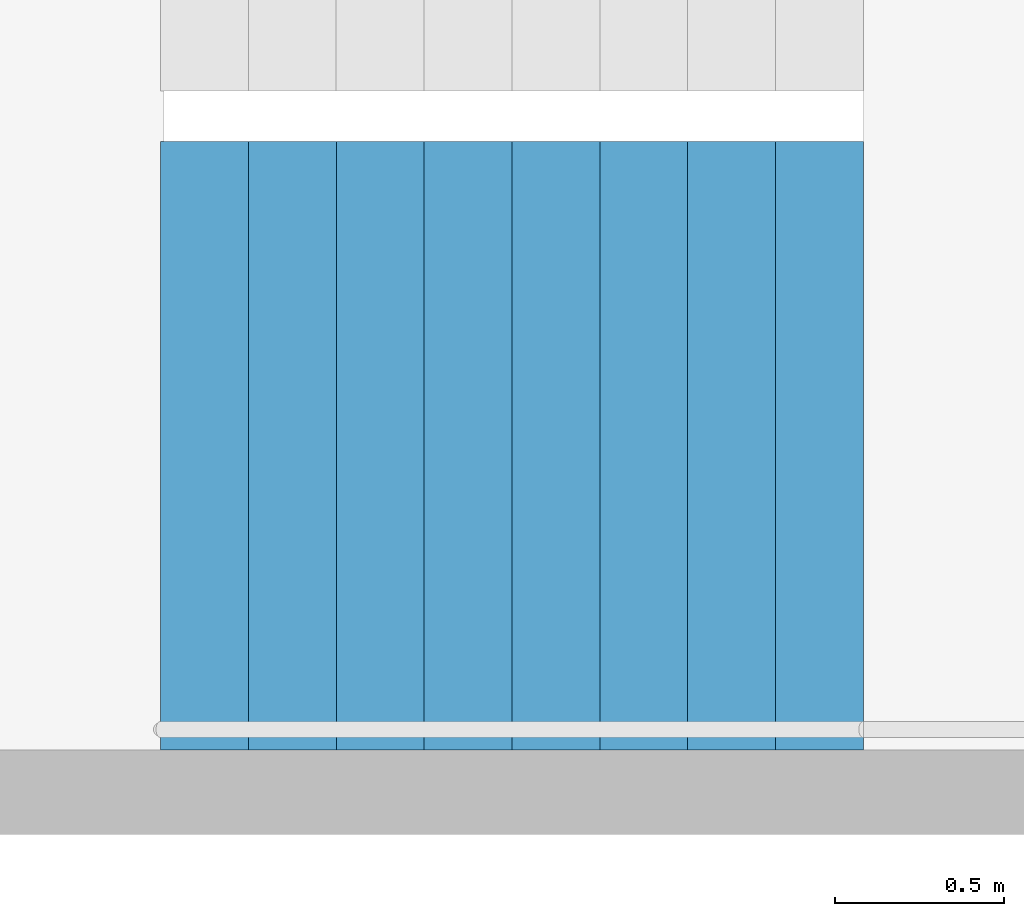
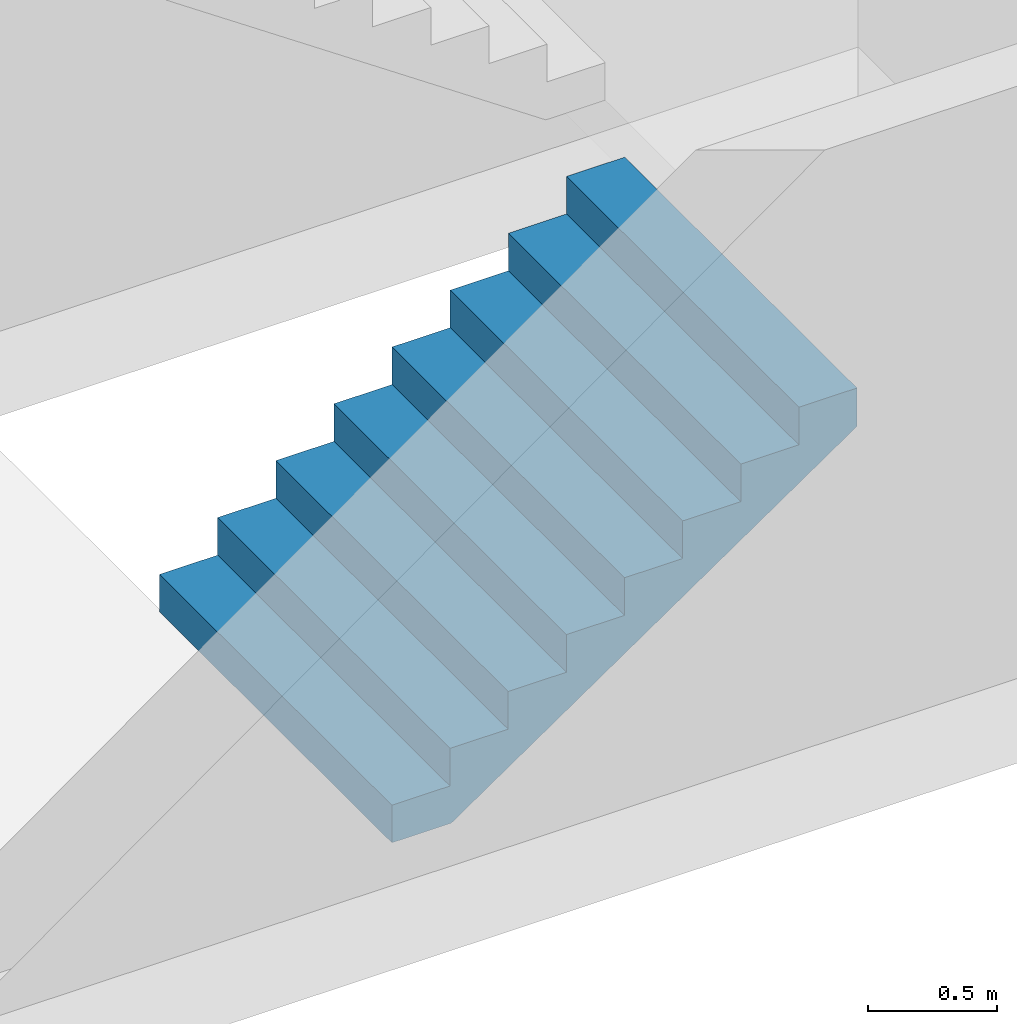
# One storey, part 22 of 28: 1 stair flight, 1 element without a shape of its own.
"""IFC4 building model written with IfcOpenShell, lengths in metres."""

from ifc_helpers import new_model, si_unit, direction, frame, origin, place, context, subcontext, project, spatial, triangles, material, type_object, element, aggregate, save


model = new_model("IFC4")

# Units and contexts
model_context = context("Model", 3, precision=1e-05, world=origin(), true_north=direction((0.0, 1.0)))
body_context = subcontext(model_context, "Body", "Model", "MODEL_VIEW")
ifc_project = project(units=[si_unit("LENGTHUNIT", "METRE"), si_unit("AREAUNIT", "SQUARE_METRE"), si_unit("VOLUMEUNIT", "CUBIC_METRE"), si_unit("PLANEANGLEUNIT", "RADIAN"), si_unit("MASSUNIT", "GRAM", prefix="KILO")], contexts=[model_context])

# Site, building, storey
site_placement = place(None, origin())
site = spatial("IfcSite", under=ifc_project, at=site_placement, CompositionType="ELEMENT")
building_placement = place(site_placement, origin())
building = spatial("IfcBuilding", under=site, at=building_placement, Name="Hakoniwa Tower and Hamabe Station Hall", CompositionType="ELEMENT")
storey_placement = place(building_placement, frame((0.0, 0.0, 58.199951171875)))
storey = spatial("IfcBuildingStorey", under=building, at=storey_placement, Name="L16", CompositionType="ELEMENT", Elevation=58.199951171875)

# Stair, stair flight
ifc_material_1 = material(Name="Concrete C40", Category="concrete")
stair_type = type_object("IfcStairType", Name="ESCAPE STAIR 1800", PredefinedType="HALF_TURN_STAIR", material=ifc_material_1)
stair_placement = place(storey_placement, origin())
stair = element("IfcStair", 1, at=stair_placement, inside=storey, type_object=stair_type, Name="Escape stair ST-1 L16", PredefinedType="HALF_TURN_STAIR")
ifc_material_2 = material(Name="Concrete C40", Category="concrete")
stair_flight_type = type_object("IfcStairFlightType", Name="STAIR FLIGHT 1800", PredefinedType="STRAIGHT", material=ifc_material_2)
stair_flight_placement = place(storey_placement, frame((-24.39990234375, 4.64990234375, 0.0), z_axis=(0.0, 0.0, 1.0), x_axis=(1.0, 0.0, 0.0)))
stair_flight = element("IfcStairFlight", 2, at=stair_flight_placement, type_object=stair_flight_type, Name="ST-1 flight 1", NumberOfRisers=9, NumberOfTreads=8, PredefinedType="STRAIGHT", RiserHeight=0.177777778, TreadLength=0.26, context=body_context, shape_type="Tessellation", body=[
    triangles([(0.0, 0.89990234375, 0.0), (0.260009765625, 0.89990234375, 0.0), (0.265625, 0.89990234375, 0.0), (0.52001953125, 0.89990234375, 0.174072265625), (0.780029296875, 0.89990234375, 0.351806640625), (1.0400390625, 0.89990234375, 0.529541015625), (1.300048828125, 0.89990234375, 0.707275390625), (1.56005859375, 0.89990234375, 0.885009765625), (1.820068359375, 0.89990234375, 1.062744140625), (2.080078125, 0.89990234375, 1.24072265625), (2.080078125, 0.89990234375, 1.422119140625), (1.820068359375, 0.89990234375, 1.422119140625), (1.820068359375, 0.89990234375, 1.244384765625), (1.56005859375, 0.89990234375, 1.244384765625), (1.56005859375, 0.89990234375, 1.066650390625), (1.300048828125, 0.89990234375, 1.066650390625), (1.300048828125, 0.89990234375, 0.888916015625), (1.0400390625, 0.89990234375, 0.888916015625), (1.0400390625, 0.89990234375, 0.711181640625), (0.780029296875, 0.89990234375, 0.711181640625), (0.780029296875, 0.89990234375, 0.533447265625), (0.52001953125, 0.89990234375, 0.533447265625), (0.52001953125, 0.89990234375, 0.35546875), (0.265625, 0.89990234375, 0.35546875), (0.260009765625, 0.89990234375, 0.35546875), (0.260009765625, 0.89990234375, 0.177734375), (0.0, 0.89990234375, 0.177734375), (0.0, 0.06005859375, 0.0), (0.260009765625, 0.06005859375, 0.0), (0.265625, 0.06005859375, 0.0), (0.52001953125, 0.06005859375, 0.174072265625), (0.780029296875, 0.06005859375, 0.351806640625), (1.0400390625, 0.06005859375, 0.529541015625), (1.300048828125, 0.06005859375, 0.707275390625), (1.56005859375, 0.06005859375, 0.885009765625), (1.820068359375, 0.06005859375, 1.062744140625), (2.080078125, 0.06005859375, 1.24072265625), (2.080078125, 0.06005859375, 1.422119140625), (1.820068359375, 0.06005859375, 1.422119140625), (1.820068359375, 0.06005859375, 1.244384765625), (1.56005859375, 0.06005859375, 1.244384765625), (1.56005859375, 0.06005859375, 1.066650390625), (1.300048828125, 0.06005859375, 1.066650390625), (1.300048828125, 0.06005859375, 0.888916015625), (1.0400390625, 0.06005859375, 0.888916015625), (1.0400390625, 0.06005859375, 0.711181640625), (0.780029296875, 0.06005859375, 0.711181640625), (0.780029296875, 0.06005859375, 0.533447265625), (0.52001953125, 0.06005859375, 0.533447265625), (0.52001953125, 0.06005859375, 0.35546875), (0.265625, 0.06005859375, 0.35546875), (0.260009765625, 0.06005859375, 0.35546875), (0.260009765625, 0.06005859375, 0.177734375), (0.0, 0.06005859375, 0.177734375), (0.0, 0.04296875, 0.0), (0.260009765625, 0.04296875, 0.0), (0.265625, 0.04296875, 0.0), (0.52001953125, 0.04296875, 0.174072265625), (0.780029296875, 0.04296875, 0.351806640625), (1.0400390625, 0.04296875, 0.529541015625), (1.300048828125, 0.04296875, 0.707275390625), (1.56005859375, 0.04296875, 0.885009765625), (1.820068359375, 0.04296875, 1.062744140625), (2.080078125, 0.04296875, 1.24072265625), (2.080078125, 0.04296875, 1.422119140625), (1.820068359375, 0.04296875, 1.422119140625), (1.820068359375, 0.04296875, 1.244384765625), (1.56005859375, 0.04296875, 1.244384765625), (1.56005859375, 0.04296875, 1.066650390625), (1.300048828125, 0.04296875, 1.066650390625), (1.300048828125, 0.04296875, 0.888916015625), (1.0400390625, 0.04296875, 0.888916015625), (1.0400390625, 0.04296875, 0.711181640625), (0.780029296875, 0.04296875, 0.711181640625), (0.780029296875, 0.04296875, 0.533447265625), (0.52001953125, 0.04296875, 0.533447265625), (0.52001953125, 0.04296875, 0.35546875), (0.265625, 0.04296875, 0.35546875), (0.260009765625, 0.04296875, 0.35546875), (0.260009765625, 0.04296875, 0.177734375), (0.0, 0.04296875, 0.177734375), (0.0, 0.025634765625, 0.0), (0.260009765625, 0.025634765625, 0.0), (0.265625, 0.025634765625, 0.0), (0.52001953125, 0.025634765625, 0.174072265625), (0.780029296875, 0.025634765625, 0.351806640625), (1.0400390625, 0.025634765625, 0.529541015625), (1.300048828125, 0.025634765625, 0.707275390625), (1.56005859375, 0.025634765625, 0.885009765625), (1.820068359375, 0.025634765625, 1.062744140625), (2.080078125, 0.025634765625, 1.24072265625), (2.080078125, 0.025634765625, 1.422119140625), (1.820068359375, 0.025634765625, 1.422119140625), (1.820068359375, 0.025634765625, 1.244384765625), (1.56005859375, 0.025634765625, 1.244384765625), (1.56005859375, 0.025634765625, 1.066650390625), (1.300048828125, 0.025634765625, 1.066650390625), (1.300048828125, 0.025634765625, 0.888916015625), (1.0400390625, 0.025634765625, 0.888916015625), (1.0400390625, 0.025634765625, 0.711181640625), (0.780029296875, 0.025634765625, 0.711181640625), (0.780029296875, 0.025634765625, 0.533447265625), (0.52001953125, 0.025634765625, 0.533447265625), (0.52001953125, 0.025634765625, 0.35546875), (0.265625, 0.025634765625, 0.35546875), (0.260009765625, 0.025634765625, 0.35546875), (0.260009765625, 0.025634765625, 0.177734375), (0.0, 0.025634765625, 0.177734375), (0.0, 0.008544921875, 0.0), (0.260009765625, 0.008544921875, 0.0), (0.265625, 0.008544921875, 0.0), (0.52001953125, 0.008544921875, 0.174072265625), (0.780029296875, 0.008544921875, 0.351806640625), (1.0400390625, 0.008544921875, 0.529541015625), (1.300048828125, 0.008544921875, 0.707275390625), (1.56005859375, 0.008544921875, 0.885009765625), (1.820068359375, 0.008544921875, 1.062744140625), (2.080078125, 0.008544921875, 1.24072265625), (2.080078125, 0.008544921875, 1.422119140625), (1.820068359375, 0.008544921875, 1.422119140625), (1.820068359375, 0.008544921875, 1.244384765625), (1.56005859375, 0.008544921875, 1.244384765625), (1.56005859375, 0.008544921875, 1.066650390625), (1.300048828125, 0.008544921875, 1.066650390625), (1.300048828125, 0.008544921875, 0.888916015625), (1.0400390625, 0.008544921875, 0.888916015625), (1.0400390625, 0.008544921875, 0.711181640625), (0.780029296875, 0.008544921875, 0.711181640625), (0.780029296875, 0.008544921875, 0.533447265625), (0.52001953125, 0.008544921875, 0.533447265625), (0.52001953125, 0.008544921875, 0.35546875), (0.265625, 0.008544921875, 0.35546875), (0.260009765625, 0.008544921875, 0.35546875), (0.260009765625, 0.008544921875, 0.177734375), (0.0, 0.008544921875, 0.177734375), (0.0, -0.008544921875, 0.0), (0.260009765625, -0.008544921875, 0.0), (0.265625, -0.008544921875, 0.0), (0.52001953125, -0.008544921875, 0.174072265625), (0.780029296875, -0.008544921875, 0.351806640625), (1.0400390625, -0.008544921875, 0.529541015625), (1.300048828125, -0.008544921875, 0.707275390625), (1.56005859375, -0.008544921875, 0.885009765625), (1.820068359375, -0.008544921875, 1.062744140625), (2.080078125, -0.008544921875, 1.24072265625), (2.080078125, -0.008544921875, 1.422119140625), (1.820068359375, -0.008544921875, 1.422119140625), (1.820068359375, -0.008544921875, 1.244384765625), (1.56005859375, -0.008544921875, 1.244384765625), (1.56005859375, -0.008544921875, 1.066650390625), (1.300048828125, -0.008544921875, 1.066650390625), (1.300048828125, -0.008544921875, 0.888916015625), (1.0400390625, -0.008544921875, 0.888916015625), (1.0400390625, -0.008544921875, 0.711181640625), (0.780029296875, -0.008544921875, 0.711181640625), (0.780029296875, -0.008544921875, 0.533447265625), (0.52001953125, -0.008544921875, 0.533447265625), (0.52001953125, -0.008544921875, 0.35546875), (0.265625, -0.008544921875, 0.35546875), (0.260009765625, -0.008544921875, 0.35546875), (0.260009765625, -0.008544921875, 0.177734375), (0.0, -0.008544921875, 0.177734375), (0.0, -0.025634765625, 0.0), (0.260009765625, -0.025634765625, 0.0), (0.265625, -0.025634765625, 0.0), (0.52001953125, -0.025634765625, 0.174072265625), (0.780029296875, -0.025634765625, 0.351806640625), (1.0400390625, -0.025634765625, 0.529541015625), (1.300048828125, -0.025634765625, 0.707275390625), (1.56005859375, -0.025634765625, 0.885009765625), (1.820068359375, -0.025634765625, 1.062744140625), (2.080078125, -0.025634765625, 1.24072265625), (2.080078125, -0.025634765625, 1.422119140625), (1.820068359375, -0.025634765625, 1.422119140625), (1.820068359375, -0.025634765625, 1.244384765625), (1.56005859375, -0.025634765625, 1.244384765625), (1.56005859375, -0.025634765625, 1.066650390625), (1.300048828125, -0.025634765625, 1.066650390625), (1.300048828125, -0.025634765625, 0.888916015625), (1.0400390625, -0.025634765625, 0.888916015625), (1.0400390625, -0.025634765625, 0.711181640625), (0.780029296875, -0.025634765625, 0.711181640625), (0.780029296875, -0.025634765625, 0.533447265625), (0.52001953125, -0.025634765625, 0.533447265625), (0.52001953125, -0.025634765625, 0.35546875), (0.265625, -0.025634765625, 0.35546875), (0.260009765625, -0.025634765625, 0.35546875), (0.260009765625, -0.025634765625, 0.177734375), (0.0, -0.025634765625, 0.177734375), (0.0, -0.04296875, 0.0), (0.260009765625, -0.04296875, 0.0), (0.265625, -0.04296875, 0.0), (0.52001953125, -0.04296875, 0.174072265625), (0.780029296875, -0.04296875, 0.351806640625), (1.0400390625, -0.04296875, 0.529541015625), (1.300048828125, -0.04296875, 0.707275390625), (1.56005859375, -0.04296875, 0.885009765625), (1.820068359375, -0.04296875, 1.062744140625), (2.080078125, -0.04296875, 1.24072265625), (2.080078125, -0.04296875, 1.422119140625), (1.820068359375, -0.04296875, 1.422119140625), (1.820068359375, -0.04296875, 1.244384765625), (1.56005859375, -0.04296875, 1.244384765625), (1.56005859375, -0.04296875, 1.066650390625), (1.300048828125, -0.04296875, 1.066650390625), (1.300048828125, -0.04296875, 0.888916015625), (1.0400390625, -0.04296875, 0.888916015625), (1.0400390625, -0.04296875, 0.711181640625), (0.780029296875, -0.04296875, 0.711181640625), (0.780029296875, -0.04296875, 0.533447265625), (0.52001953125, -0.04296875, 0.533447265625), (0.52001953125, -0.04296875, 0.35546875), (0.265625, -0.04296875, 0.35546875), (0.260009765625, -0.04296875, 0.35546875), (0.260009765625, -0.04296875, 0.177734375), (0.0, -0.04296875, 0.177734375), (0.0, -0.06005859375, 0.0), (0.260009765625, -0.06005859375, 0.0), (0.265625, -0.06005859375, 0.0), (0.52001953125, -0.06005859375, 0.174072265625), (0.780029296875, -0.06005859375, 0.351806640625), (1.0400390625, -0.06005859375, 0.529541015625), (1.300048828125, -0.06005859375, 0.707275390625), (1.56005859375, -0.06005859375, 0.885009765625), (1.820068359375, -0.06005859375, 1.062744140625), (2.080078125, -0.06005859375, 1.24072265625), (2.080078125, -0.06005859375, 1.422119140625), (1.820068359375, -0.06005859375, 1.422119140625), (1.820068359375, -0.06005859375, 1.244384765625), (1.56005859375, -0.06005859375, 1.244384765625), (1.56005859375, -0.06005859375, 1.066650390625), (1.300048828125, -0.06005859375, 1.066650390625), (1.300048828125, -0.06005859375, 0.888916015625), (1.0400390625, -0.06005859375, 0.888916015625), (1.0400390625, -0.06005859375, 0.711181640625), (0.780029296875, -0.06005859375, 0.711181640625), (0.780029296875, -0.06005859375, 0.533447265625), (0.52001953125, -0.06005859375, 0.533447265625), (0.52001953125, -0.06005859375, 0.35546875), (0.265625, -0.06005859375, 0.35546875), (0.260009765625, -0.06005859375, 0.35546875), (0.260009765625, -0.06005859375, 0.177734375), (0.0, -0.06005859375, 0.177734375), (0.0, -0.89990234375, 0.0), (0.260009765625, -0.89990234375, 0.0), (0.265625, -0.89990234375, 0.0), (0.52001953125, -0.89990234375, 0.174072265625), (0.780029296875, -0.89990234375, 0.351806640625), (1.0400390625, -0.89990234375, 0.529541015625), (1.300048828125, -0.89990234375, 0.707275390625), (1.56005859375, -0.89990234375, 0.885009765625), (1.820068359375, -0.89990234375, 1.062744140625), (2.080078125, -0.89990234375, 1.24072265625), (2.080078125, -0.89990234375, 1.422119140625), (1.820068359375, -0.89990234375, 1.422119140625), (1.820068359375, -0.89990234375, 1.244384765625), (1.56005859375, -0.89990234375, 1.244384765625), (1.56005859375, -0.89990234375, 1.066650390625), (1.300048828125, -0.89990234375, 1.066650390625), (1.300048828125, -0.89990234375, 0.888916015625), (1.0400390625, -0.89990234375, 0.888916015625), (1.0400390625, -0.89990234375, 0.711181640625), (0.780029296875, -0.89990234375, 0.711181640625), (0.780029296875, -0.89990234375, 0.533447265625), (0.52001953125, -0.89990234375, 0.533447265625), (0.52001953125, -0.89990234375, 0.35546875), (0.265625, -0.89990234375, 0.35546875), (0.260009765625, -0.89990234375, 0.35546875), (0.260009765625, -0.89990234375, 0.177734375), (0.0, -0.89990234375, 0.177734375)], [[2, 27, 26], [245, 269, 270], [2, 1, 27], [245, 270, 244], [3, 25, 24], [246, 267, 268], [3, 26, 25], [246, 268, 269], [3, 2, 26], [246, 269, 245], [4, 24, 23], [247, 266, 267], [4, 3, 24], [247, 267, 246], [5, 22, 21], [248, 264, 265], [5, 23, 22], [248, 265, 266], [5, 4, 23], [248, 266, 247], [6, 20, 19], [249, 262, 263], [6, 21, 20], [249, 263, 264], [6, 5, 21], [249, 264, 248], [7, 18, 17], [250, 260, 261], [7, 19, 18], [250, 261, 262], [7, 6, 19], [250, 262, 249], [8, 16, 15], [251, 258, 259], [8, 17, 16], [251, 259, 260], [8, 7, 17], [251, 260, 250], [9, 14, 13], [252, 256, 257], [9, 15, 14], [252, 257, 258], [9, 8, 15], [252, 258, 251], [10, 12, 11], [253, 254, 255], [10, 13, 12], [253, 255, 256], [10, 9, 13], [253, 256, 252], [1, 2, 29], [1, 29, 28], [28, 29, 56], [28, 56, 55], [55, 56, 83], [55, 83, 82], [82, 83, 110], [82, 110, 109], [109, 110, 137], [109, 137, 136], [136, 137, 164], [136, 164, 163], [163, 164, 191], [163, 191, 190], [190, 191, 218], [190, 218, 217], [217, 218, 245], [217, 245, 244], [2, 3, 30], [2, 30, 29], [29, 30, 57], [29, 57, 56], [56, 57, 84], [56, 84, 83], [83, 84, 111], [83, 111, 110], [110, 111, 138], [110, 138, 137], [137, 138, 165], [137, 165, 164], [164, 165, 192], [164, 192, 191], [191, 192, 219], [191, 219, 218], [218, 219, 246], [218, 246, 245], [3, 4, 31], [3, 31, 30], [30, 31, 58], [30, 58, 57], [57, 58, 85], [57, 85, 84], [84, 85, 112], [84, 112, 111], [111, 112, 139], [111, 139, 138], [138, 139, 166], [138, 166, 165], [165, 166, 193], [165, 193, 192], [192, 193, 220], [192, 220, 219], [219, 220, 247], [219, 247, 246], [4, 5, 32], [4, 32, 31], [31, 32, 59], [31, 59, 58], [58, 59, 86], [58, 86, 85], [85, 86, 113], [85, 113, 112], [112, 113, 140], [112, 140, 139], [139, 140, 167], [139, 167, 166], [166, 167, 194], [166, 194, 193], [193, 194, 221], [193, 221, 220], [220, 221, 248], [220, 248, 247], [5, 6, 33], [5, 33, 32], [32, 33, 60], [32, 60, 59], [59, 60, 87], [59, 87, 86], [86, 87, 114], [86, 114, 113], [113, 114, 141], [113, 141, 140], [140, 141, 168], [140, 168, 167], [167, 168, 195], [167, 195, 194], [194, 195, 222], [194, 222, 221], [221, 222, 249], [221, 249, 248], [6, 7, 34], [6, 34, 33], [33, 34, 61], [33, 61, 60], [60, 61, 88], [60, 88, 87], [87, 88, 115], [87, 115, 114], [114, 115, 142], [114, 142, 141], [141, 142, 169], [141, 169, 168], [168, 169, 196], [168, 196, 195], [195, 196, 223], [195, 223, 222], [222, 223, 250], [222, 250, 249], [7, 8, 35], [7, 35, 34], [34, 35, 62], [34, 62, 61], [61, 62, 89], [61, 89, 88], [88, 89, 116], [88, 116, 115], [115, 116, 143], [115, 143, 142], [142, 143, 170], [142, 170, 169], [169, 170, 197], [169, 197, 196], [196, 197, 224], [196, 224, 223], [223, 224, 251], [223, 251, 250], [8, 9, 36], [8, 36, 35], [35, 36, 63], [35, 63, 62], [62, 63, 90], [62, 90, 89], [89, 90, 117], [89, 117, 116], [116, 117, 144], [116, 144, 143], [143, 144, 171], [143, 171, 170], [170, 171, 198], [170, 198, 197], [197, 198, 225], [197, 225, 224], [224, 225, 252], [224, 252, 251], [9, 10, 37], [9, 37, 36], [36, 37, 64], [36, 64, 63], [63, 64, 91], [63, 91, 90], [90, 91, 118], [90, 118, 117], [117, 118, 145], [117, 145, 144], [144, 145, 172], [144, 172, 171], [171, 172, 199], [171, 199, 198], [198, 199, 226], [198, 226, 225], [225, 226, 253], [225, 253, 252], [10, 11, 38], [10, 38, 37], [37, 38, 65], [37, 65, 64], [64, 65, 92], [64, 92, 91], [91, 92, 119], [91, 119, 118], [118, 119, 146], [118, 146, 145], [145, 146, 173], [145, 173, 172], [172, 173, 200], [172, 200, 199], [199, 200, 227], [199, 227, 226], [226, 227, 254], [226, 254, 253], [11, 12, 39], [11, 39, 38], [38, 39, 66], [38, 66, 65], [65, 66, 93], [65, 93, 92], [92, 93, 120], [92, 120, 119], [119, 120, 147], [119, 147, 146], [146, 147, 174], [146, 174, 173], [173, 174, 201], [173, 201, 200], [200, 201, 228], [200, 228, 227], [227, 228, 255], [227, 255, 254], [12, 13, 40], [12, 40, 39], [39, 40, 67], [39, 67, 66], [66, 67, 94], [66, 94, 93], [93, 94, 121], [93, 121, 120], [120, 121, 148], [120, 148, 147], [147, 148, 175], [147, 175, 174], [174, 175, 202], [174, 202, 201], [201, 202, 229], [201, 229, 228], [228, 229, 256], [228, 256, 255], [13, 14, 41], [13, 41, 40], [40, 41, 68], [40, 68, 67], [67, 68, 95], [67, 95, 94], [94, 95, 122], [94, 122, 121], [121, 122, 149], [121, 149, 148], [148, 149, 176], [148, 176, 175], [175, 176, 203], [175, 203, 202], [202, 203, 230], [202, 230, 229], [229, 230, 257], [229, 257, 256], [14, 15, 42], [14, 42, 41], [41, 42, 69], [41, 69, 68], [68, 69, 96], [68, 96, 95], [95, 96, 123], [95, 123, 122], [122, 123, 150], [122, 150, 149], [149, 150, 177], [149, 177, 176], [176, 177, 204], [176, 204, 203], [203, 204, 231], [203, 231, 230], [230, 231, 258], [230, 258, 257], [15, 16, 43], [15, 43, 42], [42, 43, 70], [42, 70, 69], [69, 70, 97], [69, 97, 96], [96, 97, 124], [96, 124, 123], [123, 124, 151], [123, 151, 150], [150, 151, 178], [150, 178, 177], [177, 178, 205], [177, 205, 204], [204, 205, 232], [204, 232, 231], [231, 232, 259], [231, 259, 258], [16, 17, 44], [16, 44, 43], [43, 44, 71], [43, 71, 70], [70, 71, 98], [70, 98, 97], [97, 98, 125], [97, 125, 124], [124, 125, 152], [124, 152, 151], [151, 152, 179], [151, 179, 178], [178, 179, 206], [178, 206, 205], [205, 206, 233], [205, 233, 232], [232, 233, 260], [232, 260, 259], [17, 18, 45], [17, 45, 44], [44, 45, 72], [44, 72, 71], [71, 72, 99], [71, 99, 98], [98, 99, 126], [98, 126, 125], [125, 126, 153], [125, 153, 152], [152, 153, 180], [152, 180, 179], [179, 180, 207], [179, 207, 206], [206, 207, 234], [206, 234, 233], [233, 234, 261], [233, 261, 260], [18, 19, 46], [18, 46, 45], [45, 46, 73], [45, 73, 72], [72, 73, 100], [72, 100, 99], [99, 100, 127], [99, 127, 126], [126, 127, 154], [126, 154, 153], [153, 154, 181], [153, 181, 180], [180, 181, 208], [180, 208, 207], [207, 208, 235], [207, 235, 234], [234, 235, 262], [234, 262, 261], [19, 20, 47], [19, 47, 46], [46, 47, 74], [46, 74, 73], [73, 74, 101], [73, 101, 100], [100, 101, 128], [100, 128, 127], [127, 128, 155], [127, 155, 154], [154, 155, 182], [154, 182, 181], [181, 182, 209], [181, 209, 208], [208, 209, 236], [208, 236, 235], [235, 236, 263], [235, 263, 262], [20, 21, 48], [20, 48, 47], [47, 48, 75], [47, 75, 74], [74, 75, 102], [74, 102, 101], [101, 102, 129], [101, 129, 128], [128, 129, 156], [128, 156, 155], [155, 156, 183], [155, 183, 182], [182, 183, 210], [182, 210, 209], [209, 210, 237], [209, 237, 236], [236, 237, 264], [236, 264, 263], [21, 22, 49], [21, 49, 48], [48, 49, 76], [48, 76, 75], [75, 76, 103], [75, 103, 102], [102, 103, 130], [102, 130, 129], [129, 130, 157], [129, 157, 156], [156, 157, 184], [156, 184, 183], [183, 184, 211], [183, 211, 210], [210, 211, 238], [210, 238, 237], [237, 238, 265], [237, 265, 264], [22, 23, 50], [22, 50, 49], [49, 50, 77], [49, 77, 76], [76, 77, 104], [76, 104, 103], [103, 104, 131], [103, 131, 130], [130, 131, 158], [130, 158, 157], [157, 158, 185], [157, 185, 184], [184, 185, 212], [184, 212, 211], [211, 212, 239], [211, 239, 238], [238, 239, 266], [238, 266, 265], [23, 24, 51], [23, 51, 50], [50, 51, 78], [50, 78, 77], [77, 78, 105], [77, 105, 104], [104, 105, 132], [104, 132, 131], [131, 132, 159], [131, 159, 158], [158, 159, 186], [158, 186, 185], [185, 186, 213], [185, 213, 212], [212, 213, 240], [212, 240, 239], [239, 240, 267], [239, 267, 266], [24, 25, 52], [24, 52, 51], [51, 52, 79], [51, 79, 78], [78, 79, 106], [78, 106, 105], [105, 106, 133], [105, 133, 132], [132, 133, 160], [132, 160, 159], [159, 160, 187], [159, 187, 186], [186, 187, 214], [186, 214, 213], [213, 214, 241], [213, 241, 240], [240, 241, 268], [240, 268, 267], [25, 26, 53], [25, 53, 52], [52, 53, 80], [52, 80, 79], [79, 80, 107], [79, 107, 106], [106, 107, 134], [106, 134, 133], [133, 134, 161], [133, 161, 160], [160, 161, 188], [160, 188, 187], [187, 188, 215], [187, 215, 214], [214, 215, 242], [214, 242, 241], [241, 242, 269], [241, 269, 268], [26, 27, 54], [26, 54, 53], [53, 54, 81], [53, 81, 80], [80, 81, 108], [80, 108, 107], [107, 108, 135], [107, 135, 134], [134, 135, 162], [134, 162, 161], [161, 162, 189], [161, 189, 188], [188, 189, 216], [188, 216, 215], [215, 216, 243], [215, 243, 242], [242, 243, 270], [242, 270, 269], [27, 1, 28], [27, 28, 54], [54, 28, 55], [54, 55, 81], [81, 55, 82], [81, 82, 108], [108, 82, 109], [108, 109, 135], [135, 109, 136], [135, 136, 162], [162, 136, 163], [162, 163, 189], [189, 163, 190], [189, 190, 216], [216, 190, 217], [216, 217, 243], [243, 217, 244], [243, 244, 270]], closed=True),
])
aggregate(stair, [stair_flight])

save(model, "model.ifc")
